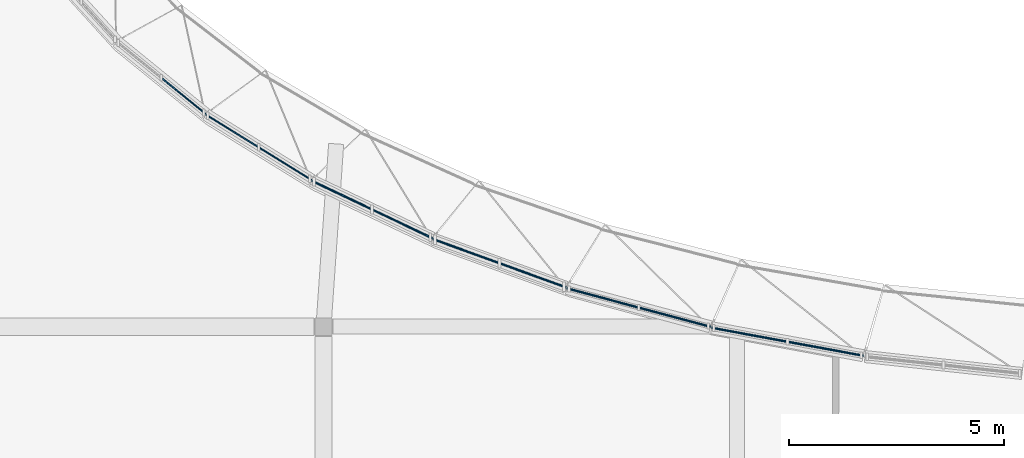
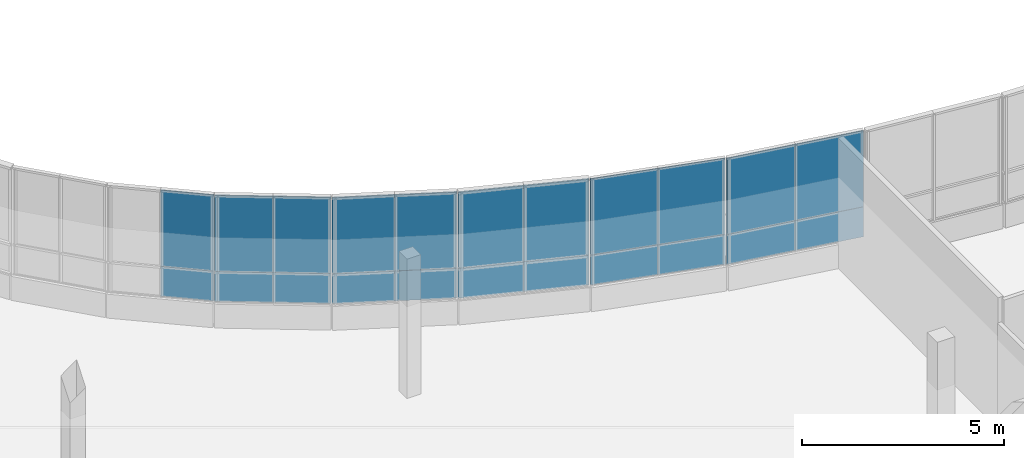
# One storey, part 31 of 84: 22 plates, 6 elements without a shape of their own.
"""IFC4 building model written with IfcOpenShell, lengths in metres."""

from ifc_helpers import new_model, si_unit, direction, frame, origin, origin_2d, place, context, subcontext, project, spatial, rectangle, extrude, material, layer, layer_set, type_object, element, aggregate, save


model = new_model("IFC4")

# Units and contexts
model_context = context("Model", 3, precision=1e-05, world=origin(), true_north=direction((0.0, 1.0)))
body_context = subcontext(model_context, "Body", "Model", "MODEL_VIEW")
ifc_project = project(units=[si_unit("LENGTHUNIT", "METRE"), si_unit("AREAUNIT", "SQUARE_METRE"), si_unit("VOLUMEUNIT", "CUBIC_METRE"), si_unit("PLANEANGLEUNIT", "RADIAN"), si_unit("MASSUNIT", "GRAM", prefix="KILO")], contexts=[model_context])

# Site, building, storey
site_placement = place(None, origin())
site = spatial("IfcSite", under=ifc_project, at=site_placement, CompositionType="ELEMENT")
building_placement = place(site_placement, origin())
building = spatial("IfcBuilding", under=site, at=building_placement, Name="Mzevani Central Library", CompositionType="ELEMENT")
storey_placement = place(building_placement, frame((0.0, 0.0, 5.39990234375)))
storey = spatial("IfcBuildingStorey", under=building, at=storey_placement, Name="L01", CompositionType="ELEMENT", Elevation=5.39990234375)

# Curtain wall, plate
ifc_material_1 = material(Name="Thermally broken aluminium and Low-E triple glazing", Category="aluminium")
curtain_wall_type_1 = type_object("IfcCurtainWallType", Name="Elliptical Court Unitised Curtain Wall", PredefinedType="NOTDEFINED", material=ifc_material_1)
curtain_wall_1_placement = place(storey_placement, origin())
curtain_wall_1 = element("IfcCurtainWall", 1, at=curtain_wall_1_placement, inside=storey, type_object=curtain_wall_type_1, Name="L01 Elliptical Court Curtain Wall 29", PredefinedType="NOTDEFINED")
ifc_material_2 = material(Name="Thermally broken aluminium AW-6060", Category="aluminium")
ifc_layer_1 = layer(ifc_material_2, 0.0419921875, Name="CW Insulated Spandrel Panel 42")
ifc_layer_set_1 = layer_set([ifc_layer_1], Name="Thermally broken aluminium AW-6060")
plate_type_1 = type_object("IfcPlateType", Name="CW Insulated Spandrel Panel 42", PredefinedType="CURTAIN_PANEL", material=ifc_layer_set_1)
plate_1_placement = place(storey_placement, frame((60.745849609375, 66.961669921875, 0.72021484375), z_axis=(0.0, 0.0, 1.0), x_axis=(0.776231297509, -0.630448231632, 0.0)))
plate_1 = element("IfcPlate", 2, at=plate_1_placement, type_object=plate_type_1, Name="L01 Elliptical Court Curtain Wall 29 Spandrel Panel 3", PredefinedType="CURTAIN_PANEL", context=body_context, shape_type="SweptSolid", body=[
    extrude(rectangle(XDim=1.329345703125, YDim=0.0419921875, at=origin_2d()), origin(), (0.0, 0.0, 1.0), 0.89990234375),
])

# Curtain wall, plates
curtain_wall_2_placement = place(storey_placement, origin())
curtain_wall_2 = element("IfcCurtainWall", 3, at=curtain_wall_2_placement, inside=storey, type_object=curtain_wall_type_1, Name="L01 Elliptical Court Curtain Wall 30", PredefinedType="NOTDEFINED")
plate_2_placement = place(storey_placement, frame((61.882568359375, 66.14404296875, 0.72021484375), z_axis=(0.0, 0.0, 1.0), x_axis=(0.850357735448, -0.526205018755, 0.0)))
plate_2 = element("IfcPlate", 4, at=plate_2_placement, type_object=plate_type_1, Name="L01 Elliptical Court Curtain Wall 30 Spandrel Panel 1", PredefinedType="CURTAIN_PANEL", context=body_context, shape_type="SweptSolid", body=[
    extrude(rectangle(XDim=1.440185546875, YDim=0.0419921875, at=origin_2d()), origin(), (0.0, 0.0, 1.0), 0.89990234375),
])
plate_3_placement = place(storey_placement, frame((63.107177734375, 65.38623046875, 0.72021484375), z_axis=(0.0, 0.0, 1.0), x_axis=(0.850357735448, -0.526205018755, 0.0)))
plate_3 = element("IfcPlate", 5, at=plate_3_placement, type_object=plate_type_1, Name="L01 Elliptical Court Curtain Wall 30 Spandrel Panel 3", PredefinedType="CURTAIN_PANEL", context=body_context, shape_type="SweptSolid", body=[
    extrude(rectangle(XDim=1.440185546875, YDim=0.0419921875, at=origin_2d()), origin(), (0.0, 0.0, 1.0), 0.89990234375),
])

curtain_wall_type_2 = type_object("IfcCurtainWallType", Name="Reading Hall Northlight Curtain Wall", PredefinedType="NOTDEFINED", material=ifc_material_1)
curtain_wall_3_placement = place(storey_placement, origin())
curtain_wall_3 = element("IfcCurtainWall", 6, at=curtain_wall_3_placement, inside=storey, type_object=curtain_wall_type_2, Name="L01 Elliptical Court Curtain Wall 31", PredefinedType="NOTDEFINED")
plate_4_placement = place(storey_placement, frame((64.429443359375, 64.65380859375, 0.72021484375), z_axis=(0.0, 0.0, 1.0), x_axis=(0.902948631939, -0.429748493982, 0.0)))
plate_4 = element("IfcPlate", 7, at=plate_4_placement, type_object=plate_type_1, Name="L01 Elliptical Court Curtain Wall 31 Spandrel Panel 1", PredefinedType="CURTAIN_PANEL", context=body_context, shape_type="SweptSolid", body=[
    extrude(rectangle(XDim=1.546630859375, YDim=0.0419921875, at=origin_2d()), origin(), (0.0, 0.0, 1.0), 0.89990234375),
])
plate_5_placement = place(storey_placement, frame((65.825927734375, 63.989013671875, 0.72021484375), z_axis=(0.0, 0.0, 1.0), x_axis=(0.902948631939, -0.429748493982, 0.0)))
plate_5 = element("IfcPlate", 8, at=plate_5_placement, type_object=plate_type_1, Name="L01 Elliptical Court Curtain Wall 31 Spandrel Panel 3", PredefinedType="CURTAIN_PANEL", context=body_context, shape_type="SweptSolid", body=[
    extrude(rectangle(XDim=1.546630859375, YDim=0.0419921875, at=origin_2d()), origin(), (0.0, 0.0, 1.0), 0.89990234375),
])

curtain_wall_4_placement = place(storey_placement, origin())
curtain_wall_4 = element("IfcCurtainWall", 9, at=curtain_wall_4_placement, inside=storey, type_object=curtain_wall_type_1, Name="L01 Elliptical Court Curtain Wall 32", PredefinedType="NOTDEFINED")
plate_6_placement = place(storey_placement, frame((67.3125, 63.35400390625, 0.72021484375), z_axis=(0.0, 0.0, 1.0), x_axis=(0.940105611205, -0.340883322826, 0.0)))
plate_6 = element("IfcPlate", 10, at=plate_6_placement, type_object=plate_type_1, Name="L01 Elliptical Court Curtain Wall 32 Spandrel Panel 1", PredefinedType="CURTAIN_PANEL", context=body_context, shape_type="SweptSolid", body=[
    extrude(rectangle(XDim=1.642822265625, YDim=0.0419921875, at=origin_2d()), origin(), (0.0, 0.0, 1.0), 0.89990234375),
])
plate_7_placement = place(storey_placement, frame((68.85693359375, 62.7939453125, 0.72021484375), z_axis=(0.0, 0.0, 1.0), x_axis=(0.940105611205, -0.340883322826, 0.0)))
plate_7 = element("IfcPlate", 11, at=plate_7_placement, type_object=plate_type_1, Name="L01 Elliptical Court Curtain Wall 32 Spandrel Panel 3", PredefinedType="CURTAIN_PANEL", context=body_context, shape_type="SweptSolid", body=[
    extrude(rectangle(XDim=1.642822265625, YDim=0.0419921875, at=origin_2d()), origin(), (0.0, 0.0, 1.0), 0.89990234375),
])

curtain_wall_5_placement = place(storey_placement, origin())
curtain_wall_5 = element("IfcCurtainWall", 12, at=curtain_wall_5_placement, inside=storey, type_object=curtain_wall_type_1, Name="L01 Elliptical Court Curtain Wall 33", PredefinedType="NOTDEFINED")
plate_8_placement = place(storey_placement, frame((70.48486328125, 62.266845703125, 0.72021484375), z_axis=(0.0, 0.0, 1.0), x_axis=(0.966009344959, -0.258507147775, 0.0)))
plate_8 = element("IfcPlate", 13, at=plate_8_placement, type_object=plate_type_1, Name="L01 Elliptical Court Curtain Wall 33 Spandrel Panel 1", PredefinedType="CURTAIN_PANEL", context=body_context, shape_type="SweptSolid", body=[
    extrude(rectangle(XDim=1.724609375, YDim=0.0419921875, at=origin_2d()), origin(), (0.0, 0.0, 1.0), 0.89990234375),
])
plate_9_placement = place(storey_placement, frame((72.15087890625, 61.821044921875, 0.72021484375), z_axis=(0.0, 0.0, 1.0), x_axis=(0.966009344959, -0.258507147775, 0.0)))
plate_9 = element("IfcPlate", 14, at=plate_9_placement, type_object=plate_type_1, Name="L01 Elliptical Court Curtain Wall 33 Spandrel Panel 3", PredefinedType="CURTAIN_PANEL", context=body_context, shape_type="SweptSolid", body=[
    extrude(rectangle(XDim=1.724609375, YDim=0.0419921875, at=origin_2d()), origin(), (0.0, 0.0, 1.0), 0.89990234375),
])

curtain_wall_6_placement = place(storey_placement, origin())
curtain_wall_6 = element("IfcCurtainWall", 15, at=curtain_wall_6_placement, inside=storey, type_object=curtain_wall_type_2, Name="L01 Elliptical Court Curtain Wall 34", PredefinedType="NOTDEFINED")
plate_10_placement = place(storey_placement, frame((73.89453125, 61.412353515625, 0.72021484375), z_axis=(0.0, 0.0, 1.0), x_axis=(0.983448999944, -0.181185166359, 0.0)))
plate_10 = element("IfcPlate", 16, at=plate_10_placement, type_object=plate_type_1, Name="L01 Elliptical Court Curtain Wall 34 Spandrel Panel 1", PredefinedType="CURTAIN_PANEL", context=body_context, shape_type="SweptSolid", body=[
    extrude(rectangle(XDim=1.78857421875, YDim=0.0419921875, at=origin_2d()), origin(), (0.0, 0.0, 1.0), 0.89990234375),
])
plate_11_placement = place(storey_placement, frame((75.653564453125, 61.08837890625, 0.72021484375), z_axis=(0.0, 0.0, 1.0), x_axis=(0.983448999944, -0.181185166359, 0.0)))
plate_11 = element("IfcPlate", 17, at=plate_11_placement, type_object=plate_type_1, Name="L01 Elliptical Court Curtain Wall 34 Spandrel Panel 3", PredefinedType="CURTAIN_PANEL", context=body_context, shape_type="SweptSolid", body=[
    extrude(rectangle(XDim=1.78857421875, YDim=0.0419921875, at=origin_2d()), origin(), (0.0, 0.0, 1.0), 0.89990234375),
])

# Plate
ifc_material_3 = material(Name="Low-E triple glazing glass", Category="glass")
ifc_layer_2 = layer(ifc_material_3, 0.028076171875, Name="CW Triple Glazed Vision Panel 28")
ifc_layer_set_2 = layer_set([ifc_layer_2], Name="Low-E triple glazing glass")
plate_type_2 = type_object("IfcPlateType", Name="CW Triple Glazed Vision Panel 28", PredefinedType="CURTAIN_PANEL", material=ifc_layer_set_2)
plate_12_placement = place(storey_placement, frame((60.745849609375, 66.961669921875, 1.6201171875), z_axis=(0.0, 0.0, 1.0), x_axis=(0.776231297509, -0.630448231632, 0.0)))
plate_12 = element("IfcPlate", 18, at=plate_12_placement, type_object=plate_type_2, Name="L01 Elliptical Court Curtain Wall 29 Vision Panel 4", PredefinedType="CURTAIN_PANEL", context=body_context, shape_type="SweptSolid", body=[
    extrude(rectangle(XDim=1.329345703125, YDim=0.028076171875, at=origin_2d()), origin(), (0.0, 0.0, 1.0), 2.300048828125),
])

aggregate(curtain_wall_1, [plate_1, plate_12])

plate_13_placement = place(storey_placement, frame((61.882568359375, 66.14404296875, 1.6201171875), z_axis=(0.0, 0.0, 1.0), x_axis=(0.850357735448, -0.526205018755, 0.0)))
plate_13 = element("IfcPlate", 19, at=plate_13_placement, type_object=plate_type_2, Name="L01 Elliptical Court Curtain Wall 30 Vision Panel 2", PredefinedType="CURTAIN_PANEL", context=body_context, shape_type="SweptSolid", body=[
    extrude(rectangle(XDim=1.440185546875, YDim=0.028076171875, at=origin_2d()), origin(), (0.0, 0.0, 1.0), 2.300048828125),
])

plate_14_placement = place(storey_placement, frame((63.107177734375, 65.38623046875, 1.6201171875), z_axis=(0.0, 0.0, 1.0), x_axis=(0.850357735448, -0.526205018755, 0.0)))
plate_14 = element("IfcPlate", 20, at=plate_14_placement, type_object=plate_type_2, Name="L01 Elliptical Court Curtain Wall 30 Vision Panel 4", PredefinedType="CURTAIN_PANEL", context=body_context, shape_type="SweptSolid", body=[
    extrude(rectangle(XDim=1.440185546875, YDim=0.028076171875, at=origin_2d()), origin(), (0.0, 0.0, 1.0), 2.300048828125),
])

aggregate(curtain_wall_2, [plate_2, plate_13, plate_3, plate_14])

plate_15_placement = place(storey_placement, frame((64.429443359375, 64.65380859375, 1.6201171875), z_axis=(0.0, 0.0, 1.0), x_axis=(0.902948631939, -0.429748493982, 0.0)))
plate_15 = element("IfcPlate", 21, at=plate_15_placement, type_object=plate_type_2, Name="L01 Elliptical Court Curtain Wall 31 Vision Panel 2", PredefinedType="CURTAIN_PANEL", context=body_context, shape_type="SweptSolid", body=[
    extrude(rectangle(XDim=1.546630859375, YDim=0.028076171875, at=origin_2d()), origin(), (0.0, 0.0, 1.0), 2.300048828125),
])

plate_16_placement = place(storey_placement, frame((65.825927734375, 63.989013671875, 1.6201171875), z_axis=(0.0, 0.0, 1.0), x_axis=(0.902948631939, -0.429748493982, 0.0)))
plate_16 = element("IfcPlate", 22, at=plate_16_placement, type_object=plate_type_2, Name="L01 Elliptical Court Curtain Wall 31 Vision Panel 4", PredefinedType="CURTAIN_PANEL", context=body_context, shape_type="SweptSolid", body=[
    extrude(rectangle(XDim=1.546630859375, YDim=0.028076171875, at=origin_2d()), origin(), (0.0, 0.0, 1.0), 2.300048828125),
])

aggregate(curtain_wall_3, [plate_4, plate_15, plate_5, plate_16])

plate_17_placement = place(storey_placement, frame((67.3125, 63.35400390625, 1.6201171875), z_axis=(0.0, 0.0, 1.0), x_axis=(0.940105611205, -0.340883322826, 0.0)))
plate_17 = element("IfcPlate", 23, at=plate_17_placement, type_object=plate_type_2, Name="L01 Elliptical Court Curtain Wall 32 Vision Panel 2", PredefinedType="CURTAIN_PANEL", context=body_context, shape_type="SweptSolid", body=[
    extrude(rectangle(XDim=1.642822265625, YDim=0.028076171875, at=origin_2d()), origin(), (0.0, 0.0, 1.0), 2.300048828125),
])

plate_18_placement = place(storey_placement, frame((68.85693359375, 62.7939453125, 1.6201171875), z_axis=(0.0, 0.0, 1.0), x_axis=(0.940105611205, -0.340883322826, 0.0)))
plate_18 = element("IfcPlate", 24, at=plate_18_placement, type_object=plate_type_2, Name="L01 Elliptical Court Curtain Wall 32 Vision Panel 4", PredefinedType="CURTAIN_PANEL", context=body_context, shape_type="SweptSolid", body=[
    extrude(rectangle(XDim=1.642822265625, YDim=0.028076171875, at=origin_2d()), origin(), (0.0, 0.0, 1.0), 2.300048828125),
])

aggregate(curtain_wall_4, [plate_6, plate_17, plate_7, plate_18])

plate_19_placement = place(storey_placement, frame((70.48486328125, 62.266845703125, 1.6201171875), z_axis=(0.0, 0.0, 1.0), x_axis=(0.966009344959, -0.258507147775, 0.0)))
plate_19 = element("IfcPlate", 25, at=plate_19_placement, type_object=plate_type_2, Name="L01 Elliptical Court Curtain Wall 33 Vision Panel 2", PredefinedType="CURTAIN_PANEL", context=body_context, shape_type="SweptSolid", body=[
    extrude(rectangle(XDim=1.724609375, YDim=0.028076171875, at=origin_2d()), origin(), (0.0, 0.0, 1.0), 2.300048828125),
])

plate_20_placement = place(storey_placement, frame((72.15087890625, 61.821044921875, 1.6201171875), z_axis=(0.0, 0.0, 1.0), x_axis=(0.966009344959, -0.258507147775, 0.0)))
plate_20 = element("IfcPlate", 26, at=plate_20_placement, type_object=plate_type_2, Name="L01 Elliptical Court Curtain Wall 33 Vision Panel 4", PredefinedType="CURTAIN_PANEL", context=body_context, shape_type="SweptSolid", body=[
    extrude(rectangle(XDim=1.724609375, YDim=0.028076171875, at=origin_2d()), origin(), (0.0, 0.0, 1.0), 2.300048828125),
])

aggregate(curtain_wall_5, [plate_8, plate_19, plate_9, plate_20])

plate_21_placement = place(storey_placement, frame((73.89453125, 61.412353515625, 1.6201171875), z_axis=(0.0, 0.0, 1.0), x_axis=(0.983448999944, -0.181185166359, 0.0)))
plate_21 = element("IfcPlate", 27, at=plate_21_placement, type_object=plate_type_2, Name="L01 Elliptical Court Curtain Wall 34 Vision Panel 2", PredefinedType="CURTAIN_PANEL", context=body_context, shape_type="SweptSolid", body=[
    extrude(rectangle(XDim=1.78857421875, YDim=0.028076171875, at=origin_2d()), origin(), (0.0, 0.0, 1.0), 2.300048828125),
])

plate_22_placement = place(storey_placement, frame((75.653564453125, 61.08837890625, 1.6201171875), z_axis=(0.0, 0.0, 1.0), x_axis=(0.983448999944, -0.181185166359, 0.0)))
plate_22 = element("IfcPlate", 28, at=plate_22_placement, type_object=plate_type_2, Name="L01 Elliptical Court Curtain Wall 34 Vision Panel 4", PredefinedType="CURTAIN_PANEL", context=body_context, shape_type="SweptSolid", body=[
    extrude(rectangle(XDim=1.78857421875, YDim=0.028076171875, at=origin_2d()), origin(), (0.0, 0.0, 1.0), 2.300048828125),
])

aggregate(curtain_wall_6, [plate_10, plate_21, plate_11, plate_22])

save(model, "model.ifc")
